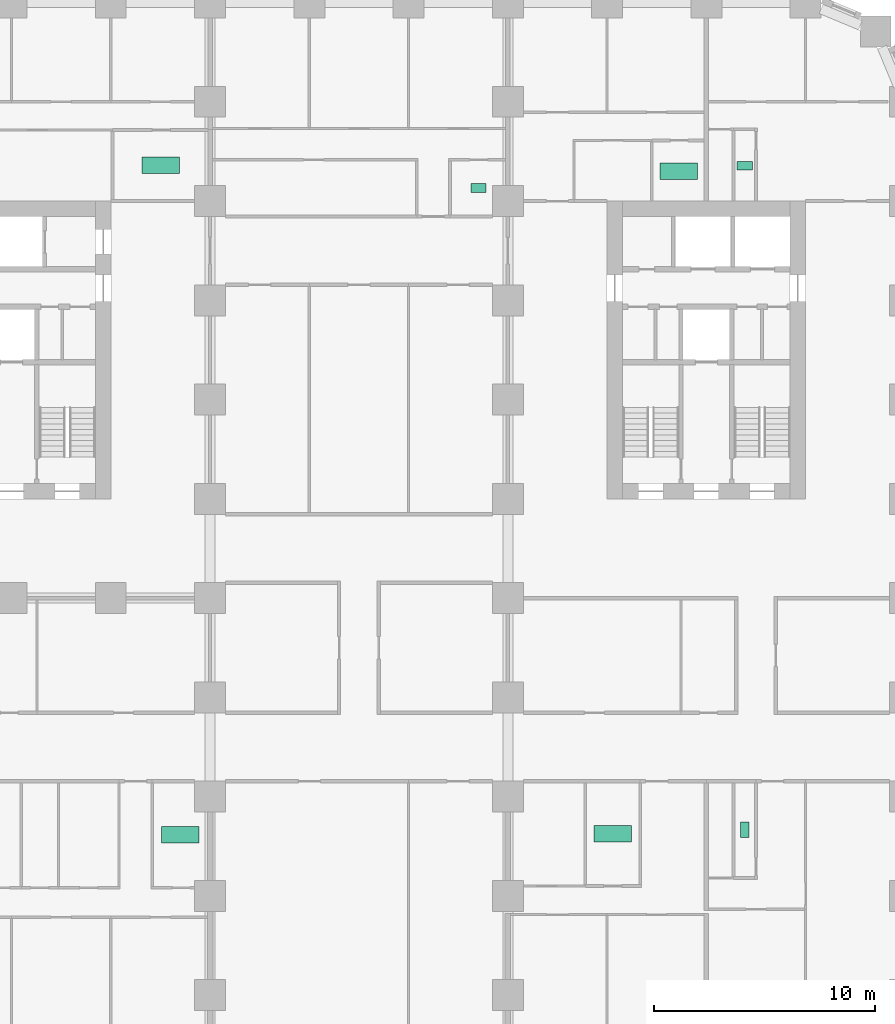
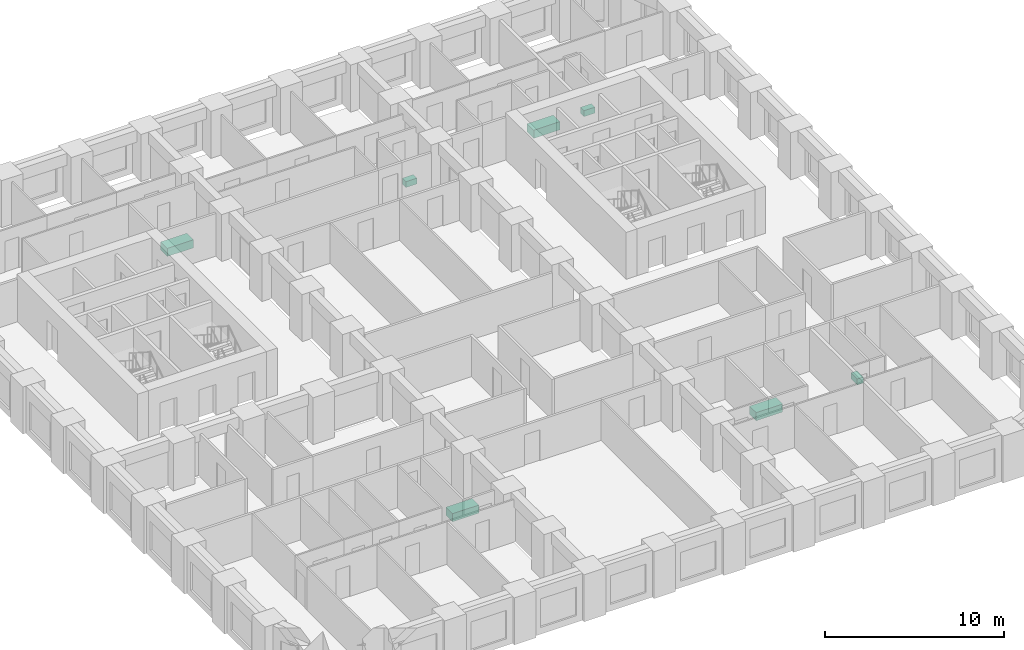
# One storey, part 13 of 13: 7 sanitary terminals.
"""IFC4 building model written with IfcOpenShell, lengths in metres."""

from ifc_helpers import new_model, si_unit, direction, frame, origin, origin_2d, place, context, subcontext, project, spatial, rectangle, extrude, material, type_object, element, save


model = new_model("IFC4")

# Units and contexts
model_context = context("Model", 3, precision=1e-05, world=origin(), true_north=direction((0.0, 1.0)))
body_context = subcontext(model_context, "Body", "Model", "MODEL_VIEW")
ifc_project = project(units=[si_unit("LENGTHUNIT", "METRE"), si_unit("AREAUNIT", "SQUARE_METRE"), si_unit("VOLUMEUNIT", "CUBIC_METRE"), si_unit("PLANEANGLEUNIT", "RADIAN"), si_unit("MASSUNIT", "GRAM", prefix="KILO")], contexts=[model_context])

# Site, building, storey
site_placement = place(None, origin())
site = spatial("IfcSite", under=ifc_project, at=site_placement, CompositionType="ELEMENT")
building_placement = place(site_placement, origin())
building = spatial("IfcBuilding", under=site, at=building_placement, Name="Girih Gate Residences", CompositionType="ELEMENT")
storey_placement = place(building_placement, frame((0.0, 0.0, 43.199951171875)))
storey = spatial("IfcBuildingStorey", under=building, at=storey_placement, Name="L10", CompositionType="ELEMENT", Elevation=43.199951171875)

# Sanitary terminals
ifc_material_1 = material(Name="Acrylic")
sanitary_terminal_type_1 = type_object("IfcSanitaryTerminalType", Name="Bath 1700", PredefinedType="BATH", material=ifc_material_1)
for number, where, z_axis, x_axis, name in (
    (1, (16.656005859375, 11.779052734375, 0.0), (0.0, 0.0, 1.0), (1.0, 0.0, 0.0), "Bath 1700 L10"),
    (2, (15.76806640625, 42.115966796875, 0.0), (0.0, 0.0, 1.0), (1.0, 0.0, 0.0), "Bath 1700 L10"),
    (3, (36.258056640625, 11.819091796875, 0.0), (0.0, 0.0, 1.0), (1.0, 0.0, 0.0), "Bath 1700 L10"),
    (4, (39.2451171875, 41.843994140625, 0.0), (0.0, 0.0, 1.0), (1.0, 0.0, 0.0), "Bath 1700 L10"),
):
    element("IfcSanitaryTerminal", number, at=place(storey_placement, frame(where, z_axis=z_axis, x_axis=x_axis)), inside=storey, type_object=sanitary_terminal_type_1, Name=name, PredefinedType="BATH", context=body_context, shape_type="SweptSolid", body=[
        extrude(rectangle(XDim=1.699951171875, YDim=0.75, at=origin_2d()), origin(), (0.0, 0.0, 1.0), 0.550048828125),
    ])
ifc_material_2 = material(Name="Vitreous china")
sanitary_terminal_type_2 = type_object("IfcSanitaryTerminalType", Name="WC pan", PredefinedType="TOILETPAN", material=ifc_material_2)
sanitary_terminal_placement = place(storey_placement, frame((42.239013671875, 11.9990234375, 0.0), z_axis=(0.0, 0.0, 1.0), x_axis=(1.0, 0.0, 0.0)))
element("IfcSanitaryTerminal", 5, at=sanitary_terminal_placement, inside=storey, type_object=sanitary_terminal_type_2, Name="WC pan L10", PredefinedType="TOILETPAN", context=body_context, shape_type="SweptSolid", body=[
    extrude(rectangle(XDim=0.39990234375, YDim=0.699951171875, at=origin_2d()), origin(), (0.0, 0.0, 1.0), 0.39990234375),
])
for number, where, z_axis, x_axis, name in (
    (6, (42.239013671875, 42.09912109375, 0.0), (0.0, 0.0, 1.0), (1.0, 0.0, 0.0), "WC pan L10"),
    (7, (30.1689453125, 41.091064453125, 0.0), (0.0, 0.0, 1.0), (1.0, 0.0, 0.0), "WC pan L10"),
):
    element("IfcSanitaryTerminal", number, at=place(storey_placement, frame(where, z_axis=z_axis, x_axis=x_axis)), inside=storey, type_object=sanitary_terminal_type_2, Name=name, PredefinedType="TOILETPAN", context=body_context, shape_type="SweptSolid", body=[
        extrude(rectangle(XDim=0.699951171875, YDim=0.39990234375, at=origin_2d()), origin(), (0.0, 0.0, 1.0), 0.39990234375),
    ])

save(model, "model.ifc")
